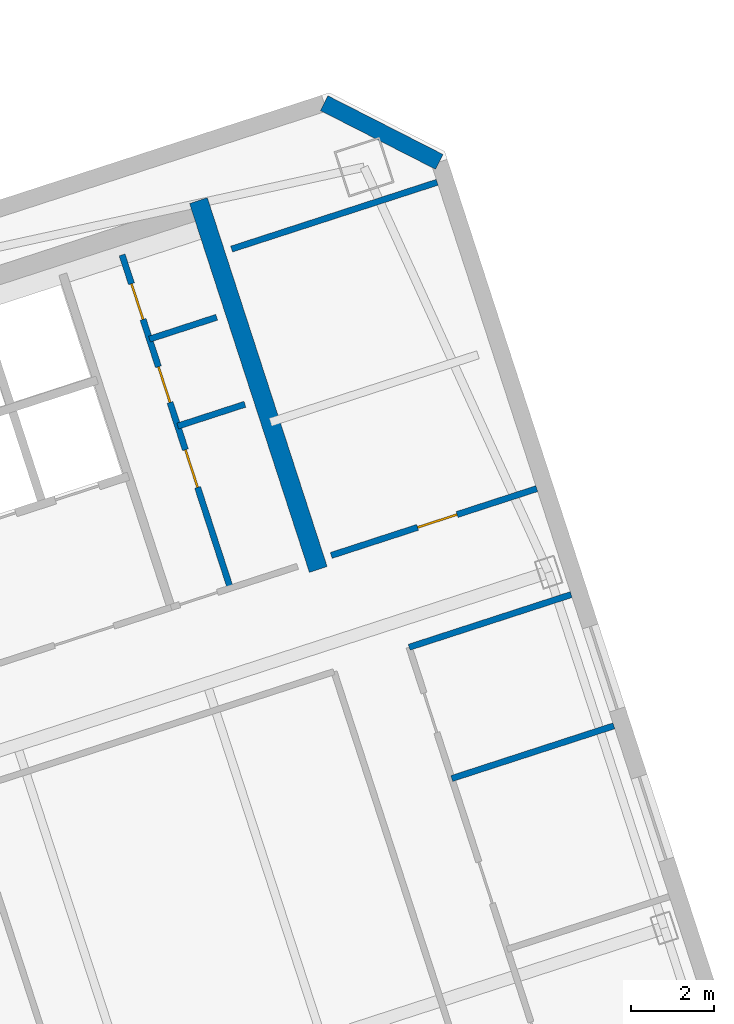
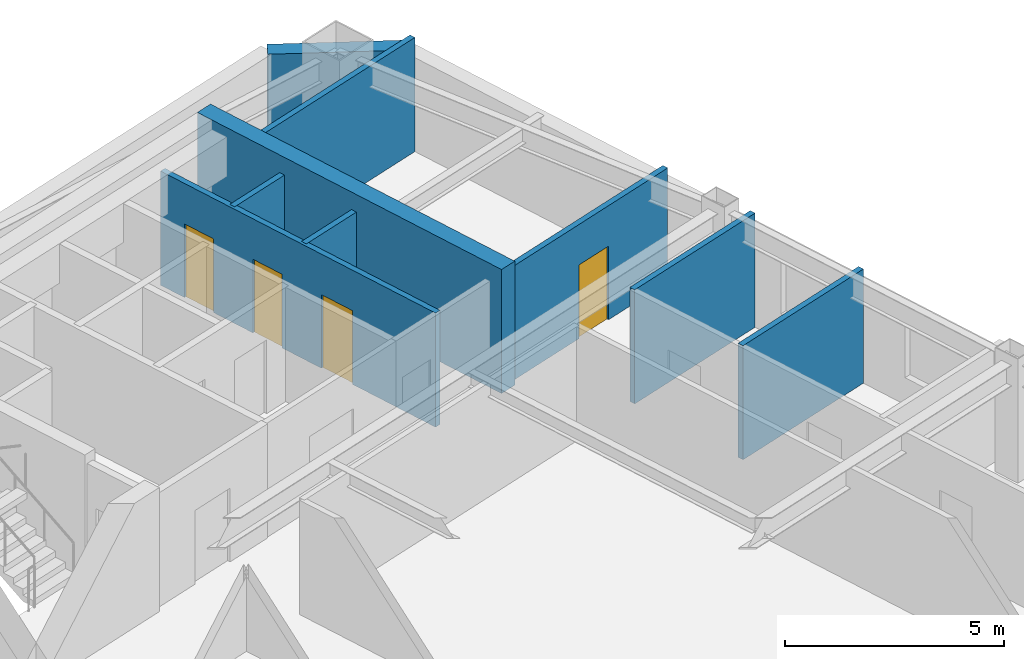
# One storey, part 22 of 25: 9 walls, 4 doors, 4 openings.
"""IFC4 building model written with IfcOpenShell, lengths in metres."""

from ifc_helpers import new_model, si_unit, direction, frame, frame_2d, origin, place, context, subcontext, project, spatial, rectangle, extrude, material, layer, layer_set, type_object, element, fill, save


model = new_model("IFC4")

# Units and contexts
model_context = context("Model", 3, precision=1e-05, world=origin(), true_north=direction((0.0, 1.0)))
body_context = subcontext(model_context, "Body", "Model", "MODEL_VIEW")
ifc_project = project(units=[si_unit("LENGTHUNIT", "METRE"), si_unit("AREAUNIT", "SQUARE_METRE"), si_unit("VOLUMEUNIT", "CUBIC_METRE"), si_unit("PLANEANGLEUNIT", "RADIAN"), si_unit("MASSUNIT", "GRAM", prefix="KILO")], contexts=[model_context])

# Site, building, storey
site_placement = place(None, origin())
site = spatial("IfcSite", under=ifc_project, at=site_placement, CompositionType="ELEMENT")
building_placement = place(site_placement, origin())
building = spatial("IfcBuilding", under=site, at=building_placement, Name="Qiaolan Cultural Towers", CompositionType="ELEMENT")
storey_placement = place(building_placement, frame((0.0, 0.0, 202.39990234375)))
storey = spatial("IfcBuildingStorey", under=building, at=storey_placement, Name="L54", CompositionType="ELEMENT", Elevation=202.39990234375)

# Walls
ifc_material_1 = material(Name="Concrete C50", Category="concrete")
ifc_layer_1 = layer(ifc_material_1, 0.449951171875)
ifc_layer_set_1 = layer_set([ifc_layer_1], Name="Concrete C50")
wall_type_1 = type_object("IfcWallType", Name="WL-CORE-450", PredefinedType="SHEAR", material=ifc_layer_set_1)
wall_1_placement = place(storey_placement, frame((94.468994140625, 46.781494140625, 0.0), z_axis=(0.0, 0.0, 1.0), x_axis=(-0.309004419953, 0.951060601881, 0.0)))
element("IfcWall", 1, at=wall_1_placement, inside=storey, type_object=wall_type_1, Name="L54 T2-CN East Core Shear Wall", PredefinedType="SHEAR", context=body_context, shape_type="SweptSolid", body=[
    extrude(rectangle(XDim=9.330078125, YDim=0.449951171875, at=frame_2d((4.6650390625, 0.0))), origin(), (0.0, 0.0, 1.0), 3.4501953125),
])
ifc_material_2 = material(Name="Precast Concrete C50 Honed Stone Pier", Category="masonry")
ifc_layer_2 = layer(ifc_material_2, 0.39990234375)
ifc_layer_set_2 = layer_set([ifc_layer_2], Name="Precast Concrete C50 Honed Stone Pier")
wall_type_2 = type_object("IfcWallType", Name="WL-EXT-PIER-400", PredefinedType="SOLIDWALL", material=ifc_layer_set_2)
wall_2_placement = place(storey_placement, frame((94.609619140625, 57.9990234375, 0.0), z_axis=(0.0, 0.0, 1.0), x_axis=(0.890979603174, -0.454043331334, 0.0)))
element("IfcWall", 2, at=wall_2_placement, inside=storey, type_object=wall_type_2, Name="L54 East Tower Precast Pier Facade Wall F4", PredefinedType="SOLIDWALL", context=body_context, shape_type="SweptSolid", body=[
    extrude(rectangle(XDim=3.111083984375, YDim=0.39990234375, at=frame_2d((1.5556640625, 0.0))), origin(), (0.0, 0.0, 1.0), 2.610107421875),
])

# Wall, openings, doors
ifc_material_3 = material(Name="Autoclaved Aerated Concrete Block B06", Category="concrete")
ifc_layer_3 = layer(ifc_material_3, 0.14990234375)
ifc_layer_set_3 = layer_set([ifc_layer_3], Name="Autoclaved Aerated Concrete Block B06")
wall_type_3 = type_object("IfcWallType", Name="WL-PART-150", PredefinedType="PARTITIONING", material=ifc_layer_set_3)
wall_3_placement = place(storey_placement, frame((92.354736328125, 46.3310546875, 0.0), z_axis=(0.0, 0.0, 1.0), x_axis=(-0.309007490203, 0.951059604335, 0.0)))
wall_3 = element("IfcWall", 3, at=wall_3_placement, inside=storey, type_object=wall_type_3, Name="L54 T2-CN Sanitary Vestibule Wall", PredefinedType="PARTITIONING", context=body_context, shape_type="SweptSolid", body=[
    extrude(rectangle(XDim=8.43017578125, YDim=0.14990234375, at=frame_2d((4.215087890625, 0.0))), origin(), (0.0, 0.0, 1.0), 3.175048828125),
])
opening_1_placement = place(wall_3_placement, frame((2.550048828125, 0.0, 0.0)))
opening_1 = element("IfcOpeningElement", 4, at=opening_1_placement, cuts=wall_3, Name="Opening ID-05", PredefinedType="OPENING", context=body_context, shape_type="SweptSolid", body=[
    extrude(rectangle(XDim=0.949951171875, YDim=2.050048828125, at=frame_2d((0.47509765625, 1.02490234375))), frame((0.0, 0.0849609375, 0.0), z_axis=(0.0, -1.0, 0.0), x_axis=(1.0, 0.0, 0.0)), (0.0, 0.0, 1.0), 0.169921875),
])
opening_2_placement = place(wall_3_placement, frame((4.699951171875, 0.0, 0.0)))
opening_2 = element("IfcOpeningElement", 5, at=opening_2_placement, cuts=wall_3, Name="Opening ID-06", PredefinedType="OPENING", context=body_context, shape_type="SweptSolid", body=[
    extrude(rectangle(XDim=0.89990234375, YDim=2.050048828125, at=frame_2d((0.449951171875, 1.02490234375))), frame((0.0, 0.0849609375, 0.0), z_axis=(0.0, -1.0, 0.0), x_axis=(1.0, 0.0, 0.0)), (0.0, 0.0, 1.0), 0.169921875),
])
opening_3_placement = place(wall_3_placement, frame((6.800048828125, 0.0, 0.0)))
opening_3 = element("IfcOpeningElement", 6, at=opening_3_placement, cuts=wall_3, Name="Opening ID-06", PredefinedType="OPENING", context=body_context, shape_type="SweptSolid", body=[
    extrude(rectangle(XDim=0.89990234375, YDim=2.050048828125, at=frame_2d((0.449951171875, 1.02490234375))), frame((0.0, 0.0849609375, 0.0), z_axis=(0.0, -1.0, 0.0), x_axis=(1.0, 0.0, 0.0)), (0.0, 0.0, 1.0), 0.169921875),
])
ifc_material_4 = material(Name="Fire-Rated Laminate Core Service Door", Category="timber")
door_type_1 = type_object("IfcDoorType", Name="DR-INT-900", OperationType="NOTDEFINED", PredefinedType="DOOR", material=ifc_material_4)
door_1_placement = place(opening_2_placement, origin())
door_1 = element("IfcDoor", 7, at=door_1_placement, inside=storey, type_object=door_type_1, Name="L54 Men Washroom Door", OperationType="SINGLE_SWING_LEFT", OverallHeight=2.050048828125, OverallWidth=0.89990234375, PredefinedType="DOOR", context=body_context, shape_type="SweptSolid", body=[
    extrude(rectangle(XDim=0.89990234375, YDim=2.050048828125, at=frame_2d((0.449951171875, 1.02490234375))), frame((0.0, 0.02490234375, 0.0), z_axis=(0.0, -1.0, 0.0), x_axis=(1.0, 0.0, 0.0)), (0.0, 0.0, 1.0), 0.050048828125),
])
fill(opening_2, door_1)
door_2_placement = place(opening_3_placement, origin())
door_2 = element("IfcDoor", 8, at=door_2_placement, inside=storey, type_object=door_type_1, Name="L54 Women Washroom Door", OperationType="SINGLE_SWING_RIGHT", OverallHeight=2.050048828125, OverallWidth=0.89990234375, PredefinedType="DOOR", context=body_context, shape_type="SweptSolid", body=[
    extrude(rectangle(XDim=0.89990234375, YDim=2.050048828125, at=frame_2d((0.449951171875, 1.02490234375))), frame((0.0, 0.02490234375, 0.0), z_axis=(0.0, -1.0, 0.0), x_axis=(1.0, 0.0, 0.0)), (0.0, 0.0, 1.0), 0.050048828125),
])
fill(opening_3, door_2)
ifc_material_5 = material(Name="Fire-Rated Laminate Accessible Core Door", Category="timber")
door_type_2 = type_object("IfcDoorType", Name="DR-INT-950", OperationType="NOTDEFINED", PredefinedType="DOOR", material=ifc_material_5)
door_3_placement = place(opening_1_placement, origin())
door_3 = element("IfcDoor", 9, at=door_3_placement, inside=storey, type_object=door_type_2, Name="L54 Accessible Family Washroom Door", OperationType="SINGLE_SWING_LEFT", OverallHeight=2.050048828125, OverallWidth=0.949951171875, PredefinedType="DOOR", context=body_context, shape_type="SweptSolid", body=[
    extrude(rectangle(XDim=0.949951171875, YDim=2.050048828125, at=frame_2d((0.47509765625, 1.02490234375))), frame((0.0, 0.02490234375, 0.0), z_axis=(0.0, -1.0, 0.0), x_axis=(1.0, 0.0, 0.0)), (0.0, 0.0, 1.0), 0.050048828125),
])
fill(opening_1, door_3)

# Walls
wall_4_placement = place(storey_placement, frame((91.087646484375, 50.23046875, 0.0), z_axis=(0.0, 0.0, 1.0), x_axis=(0.951054116971, 0.309024378638, 0.0)))
element("IfcWall", 10, at=wall_4_placement, inside=storey, type_object=wall_type_3, Name="L54 T2-CN Restroom Split Wall 1", PredefinedType="PARTITIONING", context=body_context, shape_type="SweptSolid", body=[
    extrude(rectangle(XDim=1.7001953125, YDim=0.14990234375, at=frame_2d((0.85009765625, 0.0))), origin(), (0.0, 0.0, 1.0), 3.175048828125),
])
wall_5_placement = place(storey_placement, frame((90.407958984375, 52.32275390625, 0.0), z_axis=(0.0, 0.0, 1.0), x_axis=(0.951040401051, 0.309066587596, 0.0)))
element("IfcWall", 11, at=wall_5_placement, inside=storey, type_object=wall_type_3, Name="L54 T2-CN Restroom Split Wall 2", PredefinedType="PARTITIONING", context=body_context, shape_type="SweptSolid", body=[
    extrude(rectangle(XDim=1.699951171875, YDim=0.14990234375, at=frame_2d((0.85009765625, 0.0))), origin(), (0.0, 0.0, 1.0), 3.175048828125),
])
wall_6_placement = place(storey_placement, frame((92.385009765625, 54.48974609375, 0.0), z_axis=(0.0, 0.0, 1.0), x_axis=(0.951055112834, 0.309021313752, 0.0)))
element("IfcWall", 12, at=wall_6_placement, inside=storey, type_object=wall_type_3, Name="L54 T2 Flank Wall FLK-NE", PredefinedType="PARTITIONING", context=body_context, shape_type="SweptSolid", body=[
    extrude(rectangle(XDim=5.2001953125, YDim=0.14990234375, at=frame_2d((2.60009765625, 0.0))), origin(), (0.0, 0.0, 1.0), 3.175048828125),
])

# Wall, opening, door
wall_7_placement = place(storey_placement, frame((94.77978515625, 47.119140625, 0.0), z_axis=(0.0, 0.0, 1.0), x_axis=(0.951055112834, 0.309021313752, 0.0)))
wall_7 = element("IfcWall", 13, at=wall_7_placement, inside=storey, type_object=wall_type_3, Name="L54 T2 Flank Front FLK-NE", PredefinedType="PARTITIONING", context=body_context, shape_type="SweptSolid", body=[
    extrude(rectangle(XDim=5.2001953125, YDim=0.14990234375, at=frame_2d((2.60009765625, 0.0))), origin(), (0.0, 0.0, 1.0), 3.175048828125),
])
opening_4_placement = place(wall_7_placement, frame((2.18408203125, 0.0, 0.0)))
opening_4 = element("IfcOpeningElement", 14, at=opening_4_placement, cuts=wall_7, Name="Opening ID-04", PredefinedType="OPENING", context=body_context, shape_type="SweptSolid", body=[
    extrude(rectangle(XDim=1.0, YDim=2.050048828125, at=frame_2d((0.5, 1.02490234375))), frame((0.0, 0.0849609375, 0.0), z_axis=(0.0, -1.0, 0.0), x_axis=(1.0, 0.0, 0.0)), (0.0, 0.0, 1.0), 0.169921875),
])
ifc_material_6 = material(Name="Oak Veneer Acoustic Office Door", Category="timber")
door_type_3 = type_object("IfcDoorType", Name="DR-INT-1000", OperationType="NOTDEFINED", PredefinedType="DOOR", material=ifc_material_6)
door_4_placement = place(opening_4_placement, origin())
door_4 = element("IfcDoor", 15, at=door_4_placement, inside=storey, type_object=door_type_3, Name="L54 T2 Corner Studio Door", OperationType="SINGLE_SWING_LEFT", OverallHeight=2.050048828125, OverallWidth=1.0, PredefinedType="DOOR", context=body_context, shape_type="SweptSolid", body=[
    extrude(rectangle(XDim=1.0, YDim=2.050048828125, at=frame_2d((0.5, 1.02490234375))), frame((0.0, 0.02490234375, 0.0), z_axis=(0.0, -1.0, 0.0), x_axis=(1.0, 0.0, 0.0)), (0.0, 0.0, 1.0), 0.050048828125),
])
fill(opening_4, door_4)

# Walls
wall_8_placement = place(storey_placement, frame((96.654296875, 44.91015625, 0.0), z_axis=(0.0, 0.0, 1.0), x_axis=(0.951044133184, 0.309055103076, 0.0)))
element("IfcWall", 16, at=wall_8_placement, inside=storey, type_object=wall_type_3, Name="L54 T2 Interior Wall", PredefinedType="PARTITIONING", context=body_context, shape_type="SweptSolid", body=[
    extrude(rectangle(XDim=4.099853515625, YDim=0.14990234375, at=frame_2d((2.0498046875, 0.0))), origin(), (0.0, 0.0, 1.0), 3.175048828125),
])
wall_9_placement = place(storey_placement, frame((97.68017578125, 41.752685546875, 0.0), z_axis=(0.0, 0.0, 1.0), x_axis=(0.951049820449, 0.30903760131, 0.0)))
element("IfcWall", 17, at=wall_9_placement, inside=storey, type_object=wall_type_3, Name="L54 T2 Interior Wall", PredefinedType="PARTITIONING", context=body_context, shape_type="SweptSolid", body=[
    extrude(rectangle(XDim=4.10009765625, YDim=0.14990234375, at=frame_2d((2.050048828125, 0.0))), origin(), (0.0, 0.0, 1.0), 3.175048828125),
])

save(model, "model.ifc")
